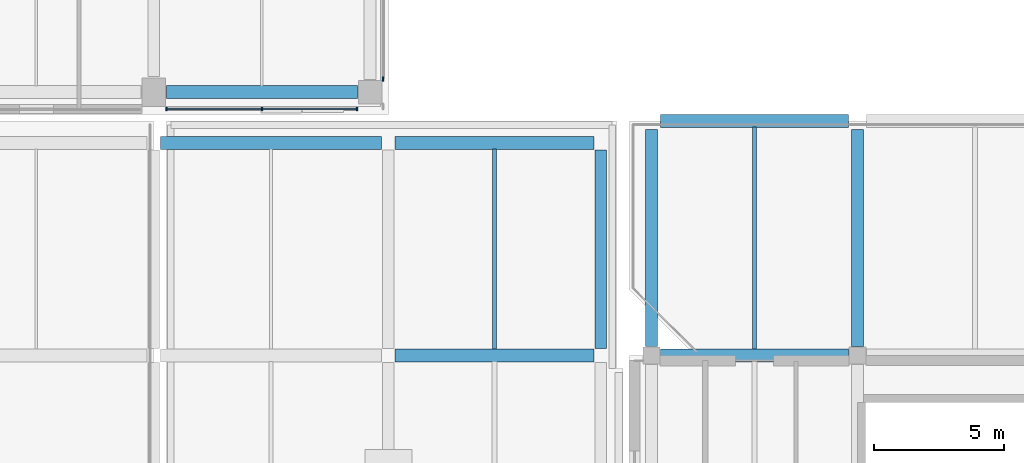
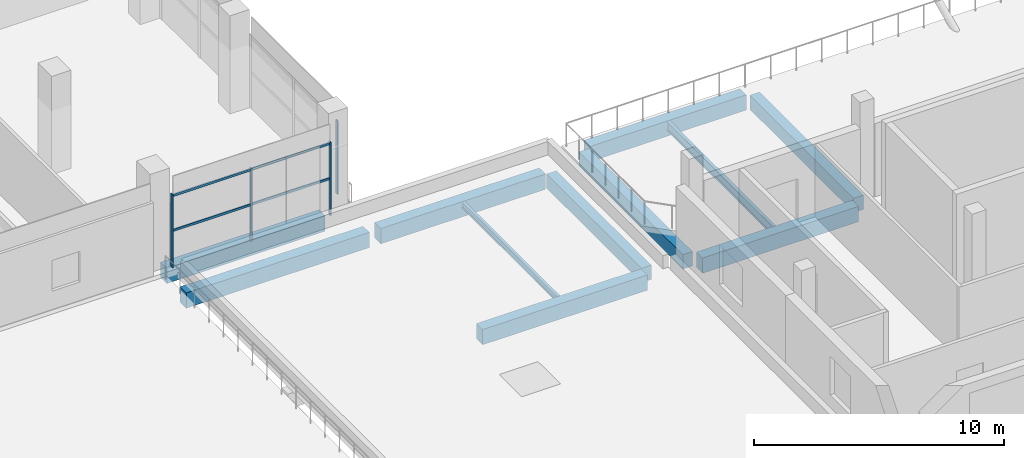
# One storey, part 6 of 82: 11 beams, 6 members, 2 elements without a shape of their own.
"""IFC4 building model written with IfcOpenShell, lengths in metres."""

from ifc_helpers import new_model, si_unit, direction, frame, origin, origin_2d, place, context, subcontext, project, spatial, rectangle, i_section, extrude, material, material_profile, profile_set, type_object, element, aggregate, save


model = new_model("IFC4")

# Units and contexts
model_context = context("Model", 3, precision=1e-05, world=origin(), true_north=direction((0.0, 1.0)))
body_context = subcontext(model_context, "Body", "Model", "MODEL_VIEW")
ifc_project = project(units=[si_unit("LENGTHUNIT", "METRE"), si_unit("AREAUNIT", "SQUARE_METRE"), si_unit("VOLUMEUNIT", "CUBIC_METRE"), si_unit("PLANEANGLEUNIT", "RADIAN"), si_unit("MASSUNIT", "GRAM", prefix="KILO"), si_unit("THERMODYNAMICTEMPERATUREUNIT", "KELVIN"), si_unit("POWERUNIT", "WATT")], contexts=[model_context])

# Site, building, storey
site_placement = place(None, origin())
site = spatial("IfcSite", under=ifc_project, at=site_placement, CompositionType="ELEMENT")
building_placement = place(site_placement, origin())
building = spatial("IfcBuilding", under=site, at=building_placement, Name="Sindhuravela Promenade Stadium", CompositionType="ELEMENT")
storey_placement = place(building_placement, frame((0.0, 0.0, 14.39990234375)))
storey = spatial("IfcBuildingStorey", under=building, at=storey_placement, Name="L03", CompositionType="ELEMENT", Elevation=14.39990234375)

# Curtain wall, member
ifc_material_1 = material(Name="Anodised architectural aluminium 6063-T6", Category="aluminium")
curtain_wall_type_1 = type_object("IfcCurtainWallType", Name="CW-MOD-6", PredefinedType="NOTDEFINED", material=ifc_material_1)
curtain_wall_1_placement = place(storey_placement, origin())
curtain_wall_1 = element("IfcCurtainWall", 1, at=curtain_wall_1_placement, inside=storey, type_object=curtain_wall_type_1, Name="Bronze curtain wall CW-WEST-L03-045", PredefinedType="NOTDEFINED")
ifc_material_profile_1 = material_profile(ifc_material_1, rectangle(XDim=0.06005859375, YDim=0.159912109375, at=origin_2d()), Name="ALU M60x160")
ifc_profile_set_1 = profile_set([ifc_material_profile_1], Name="Anodised architectural aluminium 6063-T6")
member_type_1 = type_object("IfcMemberType", Name="CW-MUL-4", PredefinedType="MULLION", material=ifc_profile_set_1)
member_1_placement = place(storey_placement, frame((44.800048828125, 37.60009765625, 0.0), z_axis=(0.0, 0.0, 1.0), x_axis=(1.0, 0.0, 0.0)))
member_1 = element("IfcMember", 2, at=member_1_placement, type_object=member_type_1, Name="Curtain wall mullion CW-WEST-L03-045-M3", PredefinedType="MULLION", context=body_context, shape_type="SweptSolid", body=[
    extrude(rectangle(XDim=0.06005859375, YDim=0.159912109375, at=origin_2d()), origin(), (0.0, 0.0, 1.0), 3.580078125),
])
aggregate(curtain_wall_1, [member_1])

# Curtain wall, members
curtain_wall_type_2 = type_object("IfcCurtainWallType", Name="CW-MOD-7", PredefinedType="NOTDEFINED", material=ifc_material_1)
curtain_wall_2_placement = place(storey_placement, origin())
curtain_wall_2 = element("IfcCurtainWall", 3, at=curtain_wall_2_placement, inside=storey, type_object=curtain_wall_type_2, Name="Bronze curtain wall CW-WEST-L03-046", PredefinedType="NOTDEFINED")
ifc_material_profile_2 = material_profile(ifc_material_1, rectangle(XDim=0.06005859375, YDim=0.139892578125, at=origin_2d()), Name="ALU M60x140")
ifc_profile_set_2 = profile_set([ifc_material_profile_2], Name="Anodised architectural aluminium 6063-T6")
member_type_2 = type_object("IfcMemberType", Name="CW-MUL-5", PredefinedType="MULLION", material=ifc_profile_set_2)
member_2_placement = place(storey_placement, frame((43.800048828125, 36.449951171875, 0.0), z_axis=(0.0, 0.0, 1.0), x_axis=(1.0, 0.0, 0.0)))
member_2 = element("IfcMember", 4, at=member_2_placement, type_object=member_type_2, Name="Curtain wall mullion CW-WEST-L03-046-M1", PredefinedType="MULLION", context=body_context, shape_type="SweptSolid", body=[
    extrude(rectangle(XDim=0.06005859375, YDim=0.139892578125, at=origin_2d()), origin(), (0.0, 0.0, 1.0), 3.580078125),
])
member_3_placement = place(storey_placement, frame((40.14990234375, 36.449951171875, 0.0), z_axis=(0.0, 0.0, 1.0), x_axis=(1.0, 0.0, 0.0)))
member_3 = element("IfcMember", 5, at=member_3_placement, type_object=member_type_2, Name="Curtain wall mullion CW-WEST-L03-046-M2", PredefinedType="MULLION", context=body_context, shape_type="SweptSolid", body=[
    extrude(rectangle(XDim=0.06005859375, YDim=0.139892578125, at=origin_2d()), origin(), (0.0, 0.0, 1.0), 3.580078125),
])
member_4_placement = place(storey_placement, frame((36.5, 36.449951171875, 0.0), z_axis=(0.0, 0.0, 1.0), x_axis=(1.0, 0.0, 0.0)))
member_4 = element("IfcMember", 6, at=member_4_placement, type_object=member_type_2, Name="Curtain wall mullion CW-WEST-L03-046-M3", PredefinedType="MULLION", context=body_context, shape_type="SweptSolid", body=[
    extrude(rectangle(XDim=0.06005859375, YDim=0.139892578125, at=origin_2d()), origin(), (0.0, 0.0, 1.0), 3.580078125),
])
ifc_material_profile_3 = material_profile(ifc_material_1, rectangle(XDim=0.06005859375, YDim=0.110107421875, at=origin_2d()), Name="ALU T60x110")
ifc_profile_set_3 = profile_set([ifc_material_profile_3], Name="Anodised architectural aluminium 6063-T6")
member_type_3 = type_object("IfcMemberType", Name="CW-TRN-5", PredefinedType="USERDEFINED", material=ifc_profile_set_3)
member_5_placement = place(storey_placement, frame((43.824951171875, 36.449951171875, 1.7900390625), z_axis=(-1.0, 0.0, 0.0), x_axis=(0.0, -1.0, 0.0)))
member_5 = element("IfcMember", 7, at=member_5_placement, type_object=member_type_3, Name="Curtain wall transom CW-WEST-L03-046-T1", ObjectType="TRANSOM", PredefinedType="USERDEFINED", context=body_context, shape_type="SweptSolid", body=[
    extrude(rectangle(XDim=0.06005859375, YDim=0.110107421875, at=origin_2d()), origin(), (0.0, 0.0, 1.0), 7.349853515625),
])
member_6_placement = place(storey_placement, frame((43.824951171875, 36.449951171875, 3.5), z_axis=(-1.0, 0.0, 0.0), x_axis=(0.0, -1.0, 0.0)))
member_6 = element("IfcMember", 8, at=member_6_placement, type_object=member_type_3, Name="Curtain wall transom CW-WEST-L03-046-T2", ObjectType="TRANSOM", PredefinedType="USERDEFINED", context=body_context, shape_type="SweptSolid", body=[
    extrude(rectangle(XDim=0.06005859375, YDim=0.110107421875, at=origin_2d()), origin(), (0.0, 0.0, 1.0), 7.349853515625),
])
aggregate(curtain_wall_2, [member_2, member_3, member_4, member_5, member_6])

# Beams
ifc_material_2 = material(Name="Concrete M40", Category="concrete")
ifc_material_profile_4 = material_profile(ifc_material_2, rectangle(XDim=0.449951171875, YDim=0.699951171875, at=origin_2d()), Name="RC 450x700")
ifc_profile_set_4 = profile_set([ifc_material_profile_4], Name="Concrete M40")
beam_type_1 = type_object("IfcBeamType", Name="RC-BM-450x700", PredefinedType="BEAM", material=ifc_profile_set_4)
for number, where, z_axis, x_axis, name in (
    (9, (55.10009765625, 27.340087890625, -0.659912109375), (0.0, 1.0, 0.0), (-1.0, 0.0, 0.0), "Primary beam GB07 SOUTH L03"),
    (10, (63.0, 27.340087890625, -0.659912109375), (0.0, 1.0, 0.0), (-1.0, 0.0, 0.0), "Primary beam GB07 SOUTH L03"),
):
    element("IfcBeam", number, at=place(storey_placement, frame(where, z_axis=z_axis, x_axis=x_axis)), inside=storey, type_object=beam_type_1, Name=name, PredefinedType="BEAM", context=body_context, shape_type="SweptSolid", body=[
        extrude(rectangle(XDim=0.449951171875, YDim=0.699951171875, at=origin_2d()), origin(), (0.0, 0.0, 1.0), 8.31982421875),
    ])
beam_1_placement = place(storey_placement, frame((53.14990234375, 27.264892578125, -0.594970703125), z_axis=(0.0, 1.0, 0.0), x_axis=(-1.0, 0.0, 0.0)))
element("IfcBeam", 11, at=beam_1_placement, inside=storey, type_object=beam_type_1, Name="Primary beam GB07 Pavilion SW L03", PredefinedType="BEAM", context=body_context, shape_type="SweptSolid", body=[
    extrude(rectangle(XDim=0.449951171875, YDim=0.699951171875, at=origin_2d()), origin(), (0.0, 0.0, 1.0), 7.6201171875),
])
ifc_material_profile_5 = material_profile(ifc_material_2, rectangle(XDim=0.5, YDim=0.75, at=origin_2d()), Name="RC 500x750")
ifc_profile_set_5 = profile_set([ifc_material_profile_5], Name="Concrete M40")
beam_type_2 = type_object("IfcBeamType", Name="RC-BM-500x750", PredefinedType="BEAM", material=ifc_profile_set_5)
beam_2_placement = place(storey_placement, frame((36.489990234375, 37.10009765625, -0.6748046875), z_axis=(1.0, 0.0, 0.0), x_axis=(0.0, 1.0, 0.0)))
element("IfcBeam", 12, at=beam_2_placement, inside=storey, type_object=beam_type_2, Name="Primary girder GB06 WEST L03", PredefinedType="BEAM", context=body_context, shape_type="SweptSolid", body=[
    extrude(rectangle(XDim=0.5, YDim=0.75, at=origin_2d()), origin(), (0.0, 0.0, 1.0), 7.320068359375),
])
for number, where, z_axis, x_axis, name in (
    (13, (55.43994140625, 27.0, -0.684814453125), (1.0, 0.0, 0.0), (0.0, 1.0, 0.0), "Primary girder GB06 SOUTH L03"),
    (14, (55.43994140625, 36.0, -0.684814453125), (1.0, 0.0, 0.0), (0.0, 1.0, 0.0), "Primary girder GB06 SOUTH L03"),
):
    element("IfcBeam", number, at=place(storey_placement, frame(where, z_axis=z_axis, x_axis=x_axis)), inside=storey, type_object=beam_type_2, Name=name, PredefinedType="BEAM", context=body_context, shape_type="SweptSolid", body=[
        extrude(rectangle(XDim=0.5, YDim=0.75, at=origin_2d()), origin(), (0.0, 0.0, 1.0), 7.219970703125),
    ])
beam_3_placement = place(storey_placement, frame((45.264892578125, 27.0, -0.619873046875), z_axis=(1.0, 0.0, 0.0), x_axis=(0.0, 1.0, 0.0)))
element("IfcBeam", 15, at=beam_3_placement, inside=storey, type_object=beam_type_2, Name="Primary girder GB06 Pavilion SW L03", PredefinedType="BEAM", context=body_context, shape_type="SweptSolid", body=[
    extrude(rectangle(XDim=0.5, YDim=0.75, at=origin_2d()), origin(), (0.0, 0.0, 1.0), 7.6201171875),
])
beam_4_placement = place(storey_placement, frame((36.264892578125, 35.14990234375, -0.619873046875), z_axis=(1.0, 0.0, 0.0), x_axis=(0.0, 1.0, 0.0)))
element("IfcBeam", 16, at=beam_4_placement, inside=storey, type_object=beam_type_2, Name="Primary girder GB06 Pavilion SW L03", PredefinedType="BEAM", context=body_context, shape_type="SweptSolid", body=[
    extrude(rectangle(XDim=0.5, YDim=0.75, at=origin_2d()), origin(), (0.0, 0.0, 1.0), 8.47021484375),
])
beam_5_placement = place(storey_placement, frame((45.264892578125, 35.14990234375, -0.619873046875), z_axis=(1.0, 0.0, 0.0), x_axis=(0.0, 1.0, 0.0)))
element("IfcBeam", 17, at=beam_5_placement, inside=storey, type_object=beam_type_2, Name="Primary girder GB06 Pavilion SW L03", PredefinedType="BEAM", context=body_context, shape_type="SweptSolid", body=[
    extrude(rectangle(XDim=0.5, YDim=0.75, at=origin_2d()), origin(), (0.0, 0.0, 1.0), 7.6201171875),
])
ifc_material_3 = material(Name="Steel E350 (IS 2062 E350BR)", Category="steel")
ifc_material_profile_6 = material_profile(ifc_material_3, i_section(OverallWidth=0.139892578125, OverallDepth=0.300048828125, WebThickness=0.0078125, FlangeThickness=0.01318359375, FilletRadius=0.013916015625, at=origin_2d()), Name="ISMB 300")
ifc_profile_set_6 = profile_set([ifc_material_profile_6], Name="Steel E350 (IS 2062 E350BR)")
beam_type_3 = type_object("IfcBeamType", Name="ST-BM-MB300", PredefinedType="JOIST", material=ifc_profile_set_6)
beam_6_placement = place(storey_placement, frame((49.074951171875, 27.239990234375, -0.39501953125), z_axis=(0.0, 1.0, 0.0), x_axis=(-1.0, 0.0, 0.0)))
element("IfcBeam", 18, at=beam_6_placement, inside=storey, type_object=beam_type_3, Name="Secondary floor joist SB03 Pavilion SW L03", PredefinedType="JOIST", context=body_context, shape_type="SweptSolid", body=[
    extrude(i_section(OverallWidth=0.139892578125, OverallDepth=0.300048828125, WebThickness=0.0078125, FlangeThickness=0.01318359375, FilletRadius=0.013916015625, at=origin_2d()), origin(), (0.0, 0.0, 1.0), 7.669921875),
])
ifc_material_profile_7 = material_profile(ifc_material_3, i_section(OverallWidth=0.14990234375, OverallDepth=0.449951171875, WebThickness=0.009521484375, FlangeThickness=0.017333984375, FilletRadius=0.014892578125, at=origin_2d()), Name="ISMB 450")
ifc_profile_set_7 = profile_set([ifc_material_profile_7], Name="Steel E350 (IS 2062 E350BR)")
beam_type_4 = type_object("IfcBeamType", Name="ST-BM-MB450", PredefinedType="BEAM", material=ifc_profile_set_7)
beam_7_placement = place(storey_placement, frame((59.050048828125, 27.239990234375, -0.534912109375), z_axis=(0.0, 1.0, 0.0), x_axis=(-1.0, 0.0, 0.0)))
element("IfcBeam", 19, at=beam_7_placement, inside=storey, type_object=beam_type_4, Name="Secondary floor joist SB06 SOUTH L03", PredefinedType="BEAM", context=body_context, shape_type="SweptSolid", body=[
    extrude(i_section(OverallWidth=0.14990234375, OverallDepth=0.449951171875, WebThickness=0.009521484375, FlangeThickness=0.017333984375, FilletRadius=0.014892578125, at=origin_2d()), origin(), (0.0, 0.0, 1.0), 8.52001953125),
])

save(model, "model.ifc")
